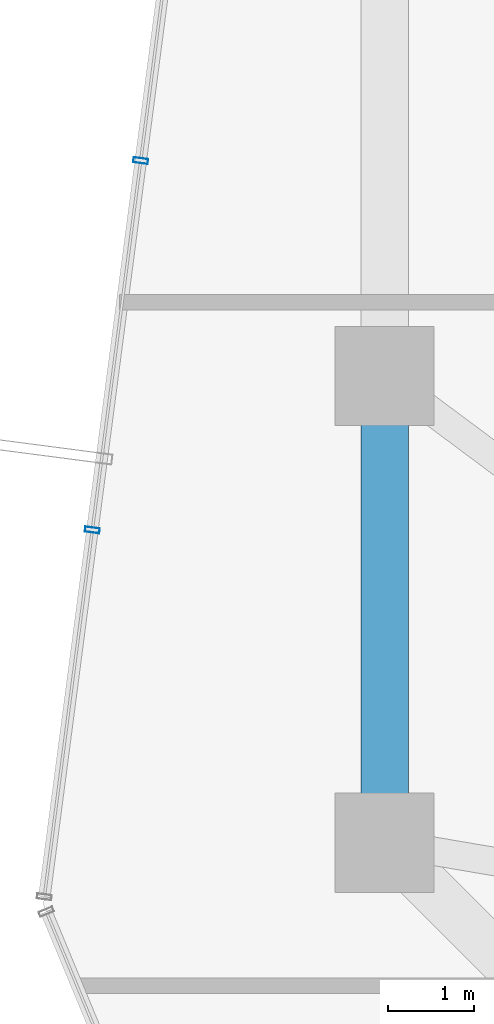
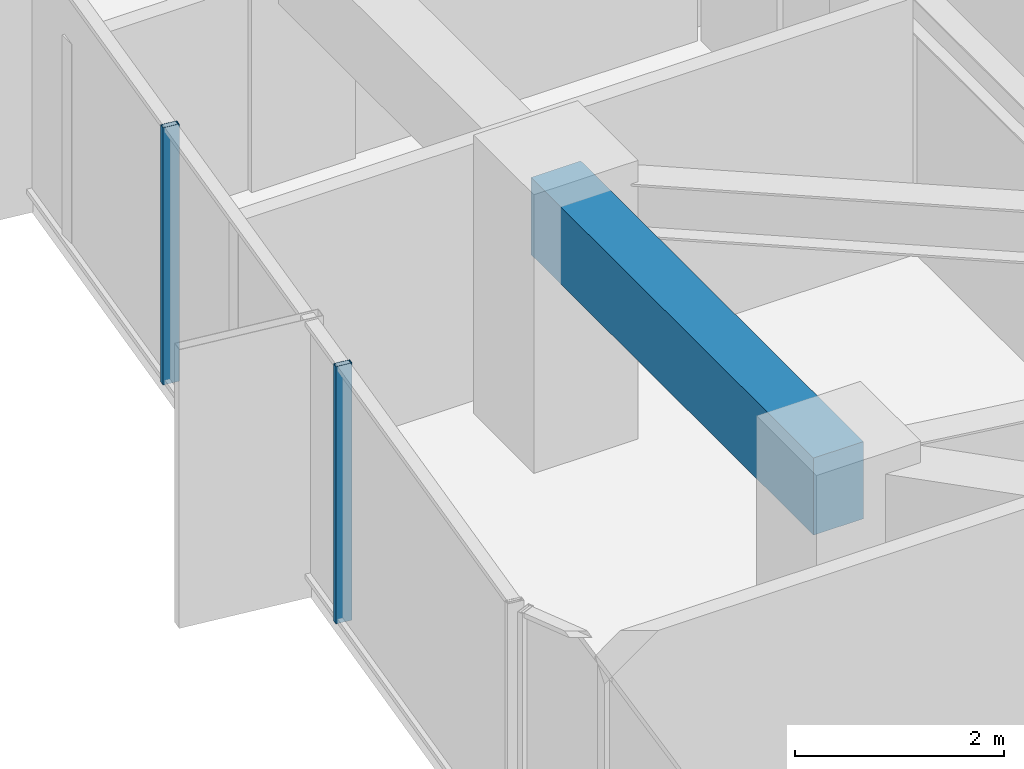
# One storey, part 10 of 30: 2 members, 1 beam, 1 element without a shape of its own.
"""IFC4 building model written with IfcOpenShell, lengths in metres."""

from ifc_helpers import new_model, si_unit, direction, frame, origin, origin_2d, place, context, subcontext, project, spatial, rectangle, hollow_rectangle, extrude, source, transform, mapped, material, layer, layer_set, material_profile, profile_set, type_object, element, aggregate, save


model = new_model("IFC4")

# Units and contexts
model_context = context("Model", 3, precision=1e-05, world=origin(), true_north=direction((0.0, 1.0)))
body_context = subcontext(model_context, "Body", "Model", "MODEL_VIEW")
ifc_project = project(units=[si_unit("LENGTHUNIT", "METRE"), si_unit("AREAUNIT", "SQUARE_METRE"), si_unit("VOLUMEUNIT", "CUBIC_METRE"), si_unit("PLANEANGLEUNIT", "RADIAN"), si_unit("MASSUNIT", "GRAM", prefix="KILO")], contexts=[model_context])

# Site, building, storey
site_placement = place(None, origin())
site = spatial("IfcSite", under=ifc_project, at=site_placement, CompositionType="ELEMENT")
building_placement = place(site_placement, origin())
building = spatial("IfcBuilding", under=site, at=building_placement, Name="Veraguas Prism Commons", CompositionType="ELEMENT")
storey_placement = place(building_placement, frame((0.0, 0.0, 102.449951171875)))
storey = spatial("IfcBuildingStorey", under=building, at=storey_placement, Name="L28", CompositionType="ELEMENT", Elevation=102.449951171875)

# Beam
ifc_material_1 = material(Name="Concrete C50/60", Category="concrete")
ifc_material_profile_1 = material_profile(ifc_material_1, rectangle(XDim=0.550048828125, YDim=0.89990234375, at=origin_2d()), Name="RC550X900")
ifc_profile_set_1 = profile_set([ifc_material_profile_1], Name="Concrete C50/60")
beam_type = type_object("IfcBeamType", Name="Perimeter Spandrel Lower RC 550x900", PredefinedType="SPANDREL", material=ifc_profile_set_1)
beam_placement = place(storey_placement, frame((7.800048828125, 24.0, 2.550048828125), z_axis=(0.0, -1.0, 0.0), x_axis=(1.0, 0.0, 0.0)))
element("IfcBeam", 1, at=beam_placement, inside=storey, type_object=beam_type, Name="Perimeter Spandrel Beam L28-SP08", PredefinedType="SPANDREL", context=body_context, shape_type="SweptSolid", body=[
    extrude(rectangle(XDim=0.550048828125, YDim=0.89990234375, at=origin_2d()), origin(), (0.0, 0.0, 1.0), 5.39990234375),
])

# Curtain wall, members
ifc_material_2 = material(Name="Anodised aluminium EN AW-6063 T6", Category="aluminium")
ifc_layer = layer(ifc_material_2, 0.169921875, Name="Unitised Flush Curtain Wall Zone 2", Category="aluminium")
ifc_layer_set = layer_set([ifc_layer], Name="Anodised aluminium EN AW-6063 T6")
curtain_wall_type = type_object("IfcCurtainWallType", Name="Unitised Flush Curtain Wall Zone 2", PredefinedType="NOTDEFINED", material=ifc_layer_set)
curtain_wall_placement = place(storey_placement, origin())
curtain_wall = element("IfcCurtainWall", 2, at=curtain_wall_placement, inside=storey, type_object=curtain_wall_type, Name="Tower Facade Curtain Wall L28-F3", PredefinedType="NOTDEFINED")
ifc_material_profile_2 = material_profile(ifc_material_2, hollow_rectangle(XDim=0.06005859375, YDim=0.169921875, WallThickness=0.00390625, at=origin_2d()), Name="AL60X170X4")
ifc_profile_set_2 = profile_set([ifc_material_profile_2], Name="Anodised aluminium EN AW-6063 T6")
member_type = type_object("IfcMemberType", Name="Curtain Wall Mullion Lower AL 60x170x4", PredefinedType="MULLION", material=ifc_profile_set_2)
shared_shape = source(origin(), body_context, "Body", "SweptSolid", [
    extrude(hollow_rectangle(XDim=0.06005859375, YDim=0.169921875, WallThickness=0.00390625, at=origin_2d()), origin(), (0.0, 0.0, 1.0), 3.0),
])
member_1_placement = place(storey_placement, frame((4.97998046875, 26.490478515625, 0.0), z_axis=(0.0, 0.0, 1.0), x_axis=(-0.129834001381, -0.99153574423, 0.0)))
member_1 = element("IfcMember", 3, at=member_1_placement, type_object=member_type, Name="CW-Z2 Mullion 3", PredefinedType="MULLION", context=body_context, shape_type="MappedRepresentation", body=[
    mapped(shared_shape, transform((0.0, 0.0, 0.0), scale=1.0)),
])
member_2_placement = place(storey_placement, frame((4.42041015625, 22.218505859375, 0.0), z_axis=(0.0, 0.0, 1.0), x_axis=(-0.129834001381, -0.99153574423, 0.0)))
member_2 = element("IfcMember", 4, at=member_2_placement, type_object=member_type, Name="CW-Z2 Mullion 4", PredefinedType="MULLION", context=body_context, shape_type="MappedRepresentation", body=[
    mapped(shared_shape, transform((0.0, 0.0, 0.0), scale=1.0)),
])
aggregate(curtain_wall, [member_1, member_2])

save(model, "model.ifc")
